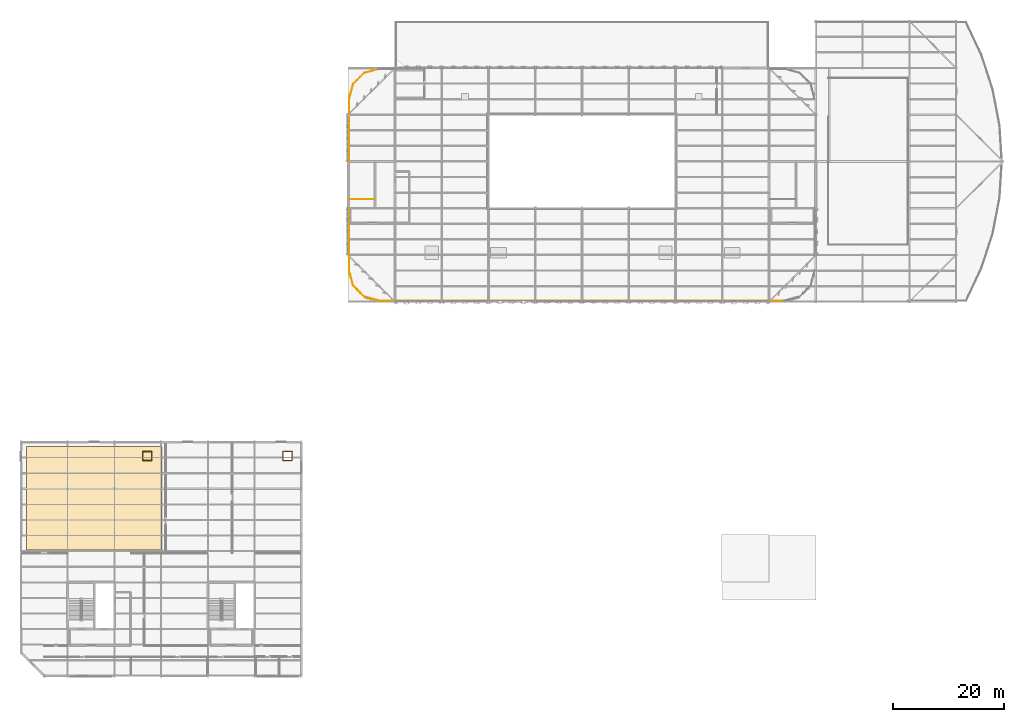
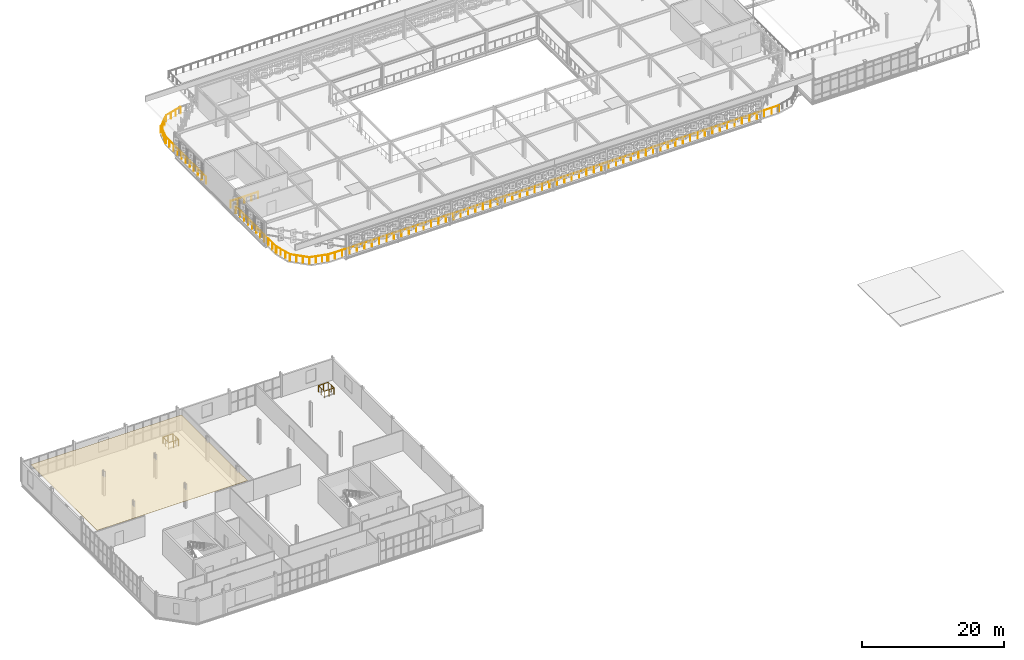
# One storey, part 63 of 65: 8 railings, 1 covering.
"""IFC4 building model written with IfcOpenShell, lengths in metres."""

import ifcopenshell
import ifcopenshell.guid

model = None  # the IFC model being written
_history = None  # IfcOwnerHistory: only IFC2X3 demands one
_inside = {}  # id of a spatial element -> (the spatial element, [elements in it])
_under = {}  # id of a project, library or spatial element -> (it, [spatial elements below it])
_declared = {}  # id of a project -> (the project, [libraries it declares])
_typed = {}  # id of a type object -> (the type object, [elements of that type])
_made_of = {}  # id of a material, layer set ... -> (it, [elements and type objects made of it])


def new_model(schema):
    """Start an empty IFC model of exactly this schema.

    Asked for "IFC4X3", IfcOpenShell would pick the latest addendum, in which some entities
    have other attributes; the version numbers below select the first issue.
    IFC2X3 requires an IfcOwnerHistory on every rooted entity: one is made here for all.
    """
    global model, _history
    if schema == "IFC4X3":
        model = ifcopenshell.file(schema_version=(4, 3, 0, 0))
    else:
        model = ifcopenshell.file(schema=schema)
    _inside.clear()
    _under.clear()
    _declared.clear()
    _typed.clear()
    _made_of.clear()
    _history = None
    if model.schema == "IFC2X3":
        org = make("IfcOrganization", Name="unknown")
        user = make(
            "IfcPersonAndOrganization",
            ThePerson=make("IfcPerson", FamilyName="unknown"),
            TheOrganization=org,
        )
        app = make(
            "IfcApplication",
            ApplicationDeveloper=org,
            Version="unknown",
            ApplicationFullName="unknown",
            ApplicationIdentifier="unknown",
        )
        _history = make(
            "IfcOwnerHistory",
            OwningUser=user,
            OwningApplication=app,
            ChangeAction="ADDED",
            CreationDate=0,
        )
    return model


def make(cls, **values):
    """One entity of the class cls with the attributes given. An attribute that is None is left unset."""
    return model.create_entity(
        cls, **{name: value for name, value in values.items() if value is not None}
    )


def rooted(cls, **values):
    """An entity with a GlobalId (a new one), such as an element, a storey or a relation."""
    return make(cls, GlobalId=ifcopenshell.guid.new(), OwnerHistory=_history, **values)


def si_unit(unit_type, name, prefix=None):
    """IfcSIUnit, for example si_unit("LENGTHUNIT", "METRE", prefix="MILLI")."""
    return make("IfcSIUnit", UnitType=unit_type, Prefix=prefix, Name=name)


def assignment(units):
    """IfcUnitAssignment: the units of a project."""
    return None if units is None else make("IfcUnitAssignment", Units=units)


def point(xyz):
    """IfcCartesianPoint."""
    return None if xyz is None else make("IfcCartesianPoint", Coordinates=xyz)


def direction(xyz):
    """IfcDirection."""
    return None if xyz is None else make("IfcDirection", DirectionRatios=xyz)


def frame(location, z_axis=None, x_axis=None):
    """IfcAxis2Placement3D, a coordinate frame: its origin and axes. An axis left out is left unset."""
    return make(
        "IfcAxis2Placement3D",
        Location=point(location),
        Axis=direction(z_axis),
        RefDirection=direction(x_axis),
    )


def frame_2d(location, x_axis=None):
    """IfcAxis2Placement2D, a coordinate frame in the plane: its origin and x axis."""
    return make(
        "IfcAxis2Placement2D", Location=point(location), RefDirection=direction(x_axis)
    )


def origin():
    """The frame at (0, 0, 0) with its axes left unset."""
    return frame((0.0, 0.0, 0.0))


def origin_2d():
    """The frame at (0, 0) in the plane with its x axis left unset."""
    return frame_2d((0.0, 0.0))


def place(relative_to, where):
    """IfcLocalPlacement: puts the frame where relative to a parent placement (None: the world)."""
    return make(
        "IfcLocalPlacement", PlacementRelTo=relative_to, RelativePlacement=where
    )


def context(
    kind, dimensions, precision=None, world=None, true_north=None, identifier=None
):
    """IfcGeometricRepresentationContext, for example the 3D "Model" context."""
    return make(
        "IfcGeometricRepresentationContext",
        ContextIdentifier=identifier,
        ContextType=kind,
        CoordinateSpaceDimension=dimensions,
        Precision=precision,
        WorldCoordinateSystem=world,
        TrueNorth=true_north,
    )


def subcontext(parent, identifier, kind, view, scale=None):
    """IfcGeometricRepresentationSubContext, for example "Body" below "Model"."""
    return make(
        "IfcGeometricRepresentationSubContext",
        ContextIdentifier=identifier,
        ContextType=kind,
        ParentContext=parent,
        TargetScale=scale,
        TargetView=view,
    )


def project(units=None, contexts=None):
    """IfcProject with its units and contexts."""
    return rooted(
        "IfcProject",
        Name="project",
        RepresentationContexts=contexts,
        UnitsInContext=assignment(units),
    )


def spatial(cls, under=None, at=None, **own):
    """A site, building, storey or space (cls), placed at a placement, below another one or the project."""
    s = rooted(cls, ObjectPlacement=at, **own)
    if under is not None:
        _under.setdefault(under.id(), (under, []))[1].append(s)
    return s


def polyline(points):
    """IfcPolyline through the points."""
    return make("IfcPolyline", Points=[point(p) for p in points])


def profile(cls, at=None, kind="AREA", **sizes):
    """A parametric profile (cls). Its sizes go by their IFC names, for example OverallWidth=200.0."""
    return make(cls, ProfileType=kind, Position=at, **sizes)


def circle(**sizes):
    """IfcCircleProfileDef."""
    return profile("IfcCircleProfileDef", **sizes)


def outline(outer, holes=None, kind="AREA"):
    """IfcArbitraryClosedProfileDef: a profile drawn as a closed curve; with holes, ...WithVoids."""
    if holes is None:
        return make("IfcArbitraryClosedProfileDef", ProfileType=kind, OuterCurve=outer)
    return make(
        "IfcArbitraryProfileDefWithVoids",
        ProfileType=kind,
        OuterCurve=outer,
        InnerCurves=holes,
    )


def extrude(swept, where, along, depth):
    """IfcExtrudedAreaSolid: the profile swept, set in the frame where, extruded along a direction by depth."""
    return make(
        "IfcExtrudedAreaSolid",
        SweptArea=swept,
        Position=where,
        ExtrudedDirection=direction(along),
        Depth=depth,
    )


def shape(context_of_items, identifier, shape_type, items):
    """IfcShapeRepresentation: the items that make up one representation, for example the "Body"."""
    return make(
        "IfcShapeRepresentation",
        ContextOfItems=context_of_items,
        RepresentationIdentifier=identifier,
        RepresentationType=shape_type,
        Items=items,
    )


def material(Name=None, Category=None):
    """IfcMaterial."""
    return make("IfcMaterial", Name=Name, Category=Category)


def layer(
    of_material, thickness, ventilated=None, Name=None, Category=None, Priority=None
):
    """IfcMaterialLayer: one layer of a wall or slab, of a material (None: an air gap)."""
    return make(
        "IfcMaterialLayer",
        Material=of_material,
        LayerThickness=thickness,
        IsVentilated=ventilated,
        Name=Name,
        Category=Category,
        Priority=Priority,
    )


def layer_set(layers, Name=None):
    """IfcMaterialLayerSet."""
    return make("IfcMaterialLayerSet", MaterialLayers=layers, LayerSetName=Name)


def made_of(thing, what):
    """Note that an element or type object is made of a material, layer set ...; save() writes the relation."""
    if what is not None:
        _made_of.setdefault(what.id(), (what, []))[1].append(thing)
    return thing


def type_object(cls, material=None, **own):
    """A type object (cls), such as IfcWallType, which elements share."""
    return made_of(rooted(cls, **own), material)


def element(
    cls,
    number,
    at=None,
    inside=None,
    cuts=None,
    type_object=None,
    material=None,
    context=None,
    identifier="Body",
    shape_type=None,
    held_by="IfcProductDefinitionShape",
    body=None,
    shapes=None,
    **own,
):
    """One element of the class cls, such as IfcWall. Its Tag is "e" and its number.

    at: its placement. inside: the storey or other place that contains it. cuts: it is an
    opening in that element (IfcRelVoidsElement). A single representation is given by context,
    identifier, shape_type and body (its items); several are given by shapes. held_by: the class
    of the entity that holds the representations. save() writes the other relations.
    """
    e = rooted(cls, Tag="e%d" % number, ObjectPlacement=at, **own)
    if body is not None:
        shapes = [shape(context, identifier, shape_type, body)]
    if shapes is not None:
        e.Representation = make(held_by, Representations=shapes)
    if inside is not None:
        _inside.setdefault(inside.id(), (inside, []))[1].append(e)
    if cuts is not None:
        rooted(
            "IfcRelVoidsElement", RelatingBuildingElement=cuts, RelatedOpeningElement=e
        )
    if type_object is not None:
        _typed.setdefault(type_object.id(), (type_object, []))[1].append(e)
    return made_of(e, material)


def aggregate(whole, parts):
    """IfcRelAggregates: a whole, such as a stair, and the parts it consists of."""
    return rooted("IfcRelAggregates", RelatingObject=whole, RelatedObjects=parts)


def save(model, path):
    """Write the relations noted so far, then the file.

    IfcRelAggregates (storeys below a building ...), IfcRelContainedInSpatialStructure (elements
    in a storey), IfcRelDefinesByType, IfcRelAssociatesMaterial and IfcRelDeclares: one each for
    every whole, place, type object, material and project.
    """
    for whole, parts in _under.values():
        aggregate(whole, parts)
    for where, things in _inside.values():
        rooted(
            "IfcRelContainedInSpatialStructure",
            RelatedElements=things,
            RelatingStructure=where,
        )
    for kind, things in _typed.values():
        rooted("IfcRelDefinesByType", RelatedObjects=things, RelatingType=kind)
    for what, things in _made_of.values():
        rooted("IfcRelAssociatesMaterial", RelatedObjects=things, RelatingMaterial=what)
    for by, libraries in _declared.values():
        rooted("IfcRelDeclares", RelatingContext=by, RelatedDefinitions=libraries)
    model.write(path)


model = new_model("IFC4")

# Units and contexts
model_context = context("Model", 3, precision=1e-05, world=origin(), true_north=direction((0.0, 1.0)))
body_context = subcontext(model_context, "Body", "Model", "MODEL_VIEW")
ifc_project = project(units=[si_unit("LENGTHUNIT", "METRE"), si_unit("AREAUNIT", "SQUARE_METRE"), si_unit("VOLUMEUNIT", "CUBIC_METRE"), si_unit("PLANEANGLEUNIT", "RADIAN"), si_unit("MASSUNIT", "GRAM", prefix="KILO")], contexts=[model_context])

# Site, building, storey
site_placement = place(None, origin())
site = spatial("IfcSite", under=ifc_project, at=site_placement, CompositionType="ELEMENT")
building_placement = place(site_placement, origin())
building = spatial("IfcBuilding", under=site, at=building_placement, Name="Qalvenar Corner Mobility Hub", CompositionType="ELEMENT")
storey_placement = place(building_placement, frame((0.0, 0.0, 17.39990234375)))
storey = spatial("IfcBuildingStorey", under=building, at=storey_placement, Name="L04", CompositionType="ELEMENT", Elevation=17.39990234375)

# Covering
ifc_material_1 = material(Name="Perforated Acoustic Mineral Ceiling Board", Category="concrete")
ifc_layer = layer(ifc_material_1, 0.02490234375)
ifc_layer_set = layer_set([ifc_layer], Name="Perforated Acoustic Mineral Ceiling Board")
covering_type = type_object("IfcCoveringType", Name="COV-CEIL-AC", PredefinedType="CEILING", material=ifc_layer_set)
covering_placement = place(storey_placement, frame((0.0, 0.0, 3.150146484375)))
element("IfcCovering", 1, at=covering_placement, inside=storey, type_object=covering_type, Name="Seminar Hall Acoustic Ceiling", PredefinedType="CEILING", context=body_context, shape_type="SweptSolid", body=[
    extrude(outline(polyline([(1.0, 22.60009765625), (25.39990234375, 22.60009765625), (25.39990234375, 41.199951171875), (1.0, 41.199951171875), (1.0, 22.60009765625)])), origin(), (0.0, 0.0, 1.0), 0.02490234375),
])

# Railings
ifc_material_2 = material(Name="Art Nouveau Bronze-Finished Steel Balustrade", Category="steel")
railing_type_1 = type_object("IfcRailingType", Name="RL-GUARD-110", PredefinedType="GUARDRAIL", material=ifc_material_2)
railing_1_placement = place(storey_placement, frame((59.050048828125, 85.60009765625, 0.0)))
element("IfcRailing", 2, at=railing_1_placement, inside=storey, type_object=railing_type_1, Name="Top Stair Landing Guard C3-L04", PredefinedType="GUARDRAIL", context=body_context, shape_type="SweptSolid", body=[
    extrude(circle(Radius=0.02392578125, at=origin_2d()), frame((0.0, 0.0, 1.09619140625), z_axis=(1.0, 0.0, 0.0), x_axis=(0.0, 1.0, 0.0)), (0.0, 0.0, 1.0), 4.449951171875),
    extrude(circle(Radius=0.02099609375, at=origin_2d()), origin(), (0.0, 0.0, 1.0), 1.072021484375),
    extrude(circle(Radius=0.02099609375, at=origin_2d()), frame((1.112548828125, 0.0, 0.0)), (0.0, 0.0, 1.0), 1.072021484375),
    extrude(circle(Radius=0.02099609375, at=origin_2d()), frame((2.22509765625, 0.0, 0.0)), (0.0, 0.0, 1.0), 1.072021484375),
    extrude(circle(Radius=0.02099609375, at=origin_2d()), frame((3.33740234375, 0.0, 0.0)), (0.0, 0.0, 1.0), 1.072021484375),
    extrude(circle(Radius=0.02099609375, at=origin_2d()), frame((4.449951171875, 0.0, 0.0)), (0.0, 0.0, 1.0), 1.072021484375),
])
ifc_material_3 = material(Name="Galvanised Steel Deck Edge Barrier", Category="steel")
railing_type_2 = type_object("IfcRailingType", Name="RL-GUARD-115", PredefinedType="GUARDRAIL", material=ifc_material_3)
railing_2_placement = place(storey_placement, frame((21.89990234375, 38.699951171875, 0.0)))
element("IfcRailing", 3, at=railing_2_placement, inside=storey, type_object=railing_type_2, Name="Riser Opening Guard V3-A-L04", PredefinedType="GUARDRAIL", context=body_context, shape_type="SweptSolid", body=[
    extrude(circle(Radius=0.02392578125, at=origin_2d()), frame((0.0, 0.0, 1.1259765625), z_axis=(1.0, 0.0, 0.0), x_axis=(0.0, 1.0, 0.0)), (0.0, 0.0, 1.0), 1.60009765625),
    extrude(circle(Radius=0.02392578125, at=origin_2d()), frame((1.60009765625, 0.0, 1.1259765625), z_axis=(0.0, 1.0, 0.0), x_axis=(-1.0, 0.0, 0.0)), (0.0, 0.0, 1.0), 1.60009765625),
    extrude(circle(Radius=0.02392578125, at=origin_2d()), frame((1.60009765625, 1.60009765625, 1.1259765625), z_axis=(-1.0, 0.0, 0.0), x_axis=(0.0, -1.0, 0.0)), (0.0, 0.0, 1.0), 1.60009765625),
    extrude(circle(Radius=0.02392578125, at=origin_2d()), frame((0.0, 1.60009765625, 1.1259765625), z_axis=(0.0, -1.0, 0.0), x_axis=(1.0, 0.0, 0.0)), (0.0, 0.0, 1.0), 1.60009765625),
    extrude(circle(Radius=0.02099609375, at=origin_2d()), origin(), (0.0, 0.0, 1.0), 1.101806640625),
    extrude(circle(Radius=0.02099609375, at=origin_2d()), frame((0.800048828125, 0.0, 0.0)), (0.0, 0.0, 1.0), 1.101806640625),
    extrude(circle(Radius=0.02099609375, at=origin_2d()), frame((1.60009765625, 0.0, 0.0)), (0.0, 0.0, 1.0), 1.101806640625),
    extrude(circle(Radius=0.02099609375, at=origin_2d()), frame((1.60009765625, 0.800048828125, 0.0)), (0.0, 0.0, 1.0), 1.101806640625),
    extrude(circle(Radius=0.02099609375, at=origin_2d()), frame((1.60009765625, 1.60009765625, 0.0)), (0.0, 0.0, 1.0), 1.101806640625),
    extrude(circle(Radius=0.02099609375, at=origin_2d()), frame((0.800048828125, 1.60009765625, 0.0)), (0.0, 0.0, 1.0), 1.101806640625),
    extrude(circle(Radius=0.02099609375, at=origin_2d()), frame((0.0, 1.60009765625, 0.0)), (0.0, 0.0, 1.0), 1.101806640625),
    extrude(circle(Radius=0.02099609375, at=origin_2d()), frame((0.0, 0.800048828125, 0.0)), (0.0, 0.0, 1.0), 1.101806640625),
])
railing_3_placement = place(storey_placement, frame((47.10009765625, 38.699951171875, 0.0)))
element("IfcRailing", 4, at=railing_3_placement, inside=storey, type_object=railing_type_2, Name="Riser Opening Guard V3-B-L04", PredefinedType="GUARDRAIL", context=body_context, shape_type="SweptSolid", body=[
    extrude(circle(Radius=0.02392578125, at=origin_2d()), frame((0.0, 0.0, 1.1259765625), z_axis=(1.0, 0.0, 0.0), x_axis=(0.0, 1.0, 0.0)), (0.0, 0.0, 1.0), 1.599853515625),
    extrude(circle(Radius=0.02392578125, at=origin_2d()), frame((1.599853515625, 0.0, 1.1259765625), z_axis=(0.0, 1.0, 0.0), x_axis=(-1.0, 0.0, 0.0)), (0.0, 0.0, 1.0), 1.60009765625),
    extrude(circle(Radius=0.02392578125, at=origin_2d()), frame((1.599853515625, 1.60009765625, 1.1259765625), z_axis=(-1.0, 0.0, 0.0), x_axis=(0.0, -1.0, 0.0)), (0.0, 0.0, 1.0), 1.599853515625),
    extrude(circle(Radius=0.02392578125, at=origin_2d()), frame((0.0, 1.60009765625, 1.1259765625), z_axis=(0.0, -1.0, 0.0), x_axis=(1.0, 0.0, 0.0)), (0.0, 0.0, 1.0), 1.60009765625),
    extrude(circle(Radius=0.02099609375, at=origin_2d()), origin(), (0.0, 0.0, 1.0), 1.101806640625),
    extrude(circle(Radius=0.02099609375, at=origin_2d()), frame((0.7998046875, 0.0, 0.0)), (0.0, 0.0, 1.0), 1.101806640625),
    extrude(circle(Radius=0.02099609375, at=origin_2d()), frame((1.599853515625, 0.0, 0.0)), (0.0, 0.0, 1.0), 1.101806640625),
    extrude(circle(Radius=0.02099609375, at=origin_2d()), frame((1.599853515625, 0.800048828125, 0.0)), (0.0, 0.0, 1.0), 1.101806640625),
    extrude(circle(Radius=0.02099609375, at=origin_2d()), frame((1.599853515625, 1.60009765625, 0.0)), (0.0, 0.0, 1.0), 1.101806640625),
    extrude(circle(Radius=0.02099609375, at=origin_2d()), frame((0.7998046875, 1.60009765625, 0.0)), (0.0, 0.0, 1.0), 1.101806640625),
    extrude(circle(Radius=0.02099609375, at=origin_2d()), frame((0.0, 1.60009765625, 0.0)), (0.0, 0.0, 1.0), 1.101806640625),
    extrude(circle(Radius=0.02099609375, at=origin_2d()), frame((0.0, 0.800048828125, 0.0)), (0.0, 0.0, 1.0), 1.101806640625),
])
railing_4_placement = place(storey_placement, frame((64.199951171875, 67.3798828125, 0.0)))
element("IfcRailing", 5, at=railing_4_placement, inside=storey, type_object=railing_type_2, Name="Parking Deck South Barrier L04", PredefinedType="GUARDRAIL", context=body_context, shape_type="SweptSolid", body=[
    extrude(circle(Radius=0.02392578125, at=origin_2d()), frame((0.0, 0.0, 1.1259765625), z_axis=(1.0, 0.0, 0.0), x_axis=(0.0, 1.0, 0.0)), (0.0, 0.0, 1.0), 73.199951171875),
    extrude(circle(Radius=0.02099609375, at=origin_2d()), origin(), (0.0, 0.0, 1.0), 1.101806640625),
    extrude(circle(Radius=0.02099609375, at=origin_2d()), frame((1.199951171875, 0.0, 0.0)), (0.0, 0.0, 1.0), 1.101806640625),
    extrude(circle(Radius=0.02099609375, at=origin_2d()), frame((2.39990234375, 0.0, 0.0)), (0.0, 0.0, 1.0), 1.101806640625),
    extrude(circle(Radius=0.02099609375, at=origin_2d()), frame((3.60009765625, 0.0, 0.0)), (0.0, 0.0, 1.0), 1.101806640625),
    extrude(circle(Radius=0.02099609375, at=origin_2d()), frame((4.800048828125, 0.0, 0.0)), (0.0, 0.0, 1.0), 1.101806640625),
    extrude(circle(Radius=0.02099609375, at=origin_2d()), frame((6.0, 0.0, 0.0)), (0.0, 0.0, 1.0), 1.101806640625),
    extrude(circle(Radius=0.02099609375, at=origin_2d()), frame((7.199951171875, 0.0, 0.0)), (0.0, 0.0, 1.0), 1.101806640625),
    extrude(circle(Radius=0.02099609375, at=origin_2d()), frame((8.39990234375, 0.0, 0.0)), (0.0, 0.0, 1.0), 1.101806640625),
    extrude(circle(Radius=0.02099609375, at=origin_2d()), frame((9.60009765625, 0.0, 0.0)), (0.0, 0.0, 1.0), 1.101806640625),
    extrude(circle(Radius=0.02099609375, at=origin_2d()), frame((10.800048828125, 0.0, 0.0)), (0.0, 0.0, 1.0), 1.101806640625),
    extrude(circle(Radius=0.02099609375, at=origin_2d()), frame((12.0, 0.0, 0.0)), (0.0, 0.0, 1.0), 1.101806640625),
    extrude(circle(Radius=0.02099609375, at=origin_2d()), frame((13.199951171875, 0.0, 0.0)), (0.0, 0.0, 1.0), 1.101806640625),
    extrude(circle(Radius=0.02099609375, at=origin_2d()), frame((14.39990234375, 0.0, 0.0)), (0.0, 0.0, 1.0), 1.101806640625),
    extrude(circle(Radius=0.02099609375, at=origin_2d()), frame((15.60009765625, 0.0, 0.0)), (0.0, 0.0, 1.0), 1.101806640625),
    extrude(circle(Radius=0.02099609375, at=origin_2d()), frame((16.800048828125, 0.0, 0.0)), (0.0, 0.0, 1.0), 1.101806640625),
    extrude(circle(Radius=0.02099609375, at=origin_2d()), frame((18.0, 0.0, 0.0)), (0.0, 0.0, 1.0), 1.101806640625),
    extrude(circle(Radius=0.02099609375, at=origin_2d()), frame((19.199951171875, 0.0, 0.0)), (0.0, 0.0, 1.0), 1.101806640625),
    extrude(circle(Radius=0.02099609375, at=origin_2d()), frame((20.39990234375, 0.0, 0.0)), (0.0, 0.0, 1.0), 1.101806640625),
    extrude(circle(Radius=0.02099609375, at=origin_2d()), frame((21.60009765625, 0.0, 0.0)), (0.0, 0.0, 1.0), 1.101806640625),
    extrude(circle(Radius=0.02099609375, at=origin_2d()), frame((22.800048828125, 0.0, 0.0)), (0.0, 0.0, 1.0), 1.101806640625),
    extrude(circle(Radius=0.02099609375, at=origin_2d()), frame((24.0, 0.0, 0.0)), (0.0, 0.0, 1.0), 1.101806640625),
    extrude(circle(Radius=0.02099609375, at=origin_2d()), frame((25.199951171875, 0.0, 0.0)), (0.0, 0.0, 1.0), 1.101806640625),
    extrude(circle(Radius=0.02099609375, at=origin_2d()), frame((26.39990234375, 0.0, 0.0)), (0.0, 0.0, 1.0), 1.101806640625),
    extrude(circle(Radius=0.02099609375, at=origin_2d()), frame((27.60009765625, 0.0, 0.0)), (0.0, 0.0, 1.0), 1.101806640625),
    extrude(circle(Radius=0.02099609375, at=origin_2d()), frame((28.800048828125, 0.0, 0.0)), (0.0, 0.0, 1.0), 1.101806640625),
    extrude(circle(Radius=0.02099609375, at=origin_2d()), frame((30.0, 0.0, 0.0)), (0.0, 0.0, 1.0), 1.101806640625),
    extrude(circle(Radius=0.02099609375, at=origin_2d()), frame((31.199951171875, 0.0, 0.0)), (0.0, 0.0, 1.0), 1.101806640625),
    extrude(circle(Radius=0.02099609375, at=origin_2d()), frame((32.39990234375, 0.0, 0.0)), (0.0, 0.0, 1.0), 1.101806640625),
    extrude(circle(Radius=0.02099609375, at=origin_2d()), frame((33.60009765625, 0.0, 0.0)), (0.0, 0.0, 1.0), 1.101806640625),
    extrude(circle(Radius=0.02099609375, at=origin_2d()), frame((34.800048828125, 0.0, 0.0)), (0.0, 0.0, 1.0), 1.101806640625),
    extrude(circle(Radius=0.02099609375, at=origin_2d()), frame((36.0, 0.0, 0.0)), (0.0, 0.0, 1.0), 1.101806640625),
    extrude(circle(Radius=0.02099609375, at=origin_2d()), frame((37.199951171875, 0.0, 0.0)), (0.0, 0.0, 1.0), 1.101806640625),
    extrude(circle(Radius=0.02099609375, at=origin_2d()), frame((38.39990234375, 0.0, 0.0)), (0.0, 0.0, 1.0), 1.101806640625),
    extrude(circle(Radius=0.02099609375, at=origin_2d()), frame((39.599853515625, 0.0, 0.0)), (0.0, 0.0, 1.0), 1.101806640625),
    extrude(circle(Radius=0.02099609375, at=origin_2d()), frame((40.800048828125, 0.0, 0.0)), (0.0, 0.0, 1.0), 1.101806640625),
    extrude(circle(Radius=0.02099609375, at=origin_2d()), frame((42.0, 0.0, 0.0)), (0.0, 0.0, 1.0), 1.101806640625),
    extrude(circle(Radius=0.02099609375, at=origin_2d()), frame((43.199951171875, 0.0, 0.0)), (0.0, 0.0, 1.0), 1.101806640625),
    extrude(circle(Radius=0.02099609375, at=origin_2d()), frame((44.39990234375, 0.0, 0.0)), (0.0, 0.0, 1.0), 1.101806640625),
    extrude(circle(Radius=0.02099609375, at=origin_2d()), frame((45.599853515625, 0.0, 0.0)), (0.0, 0.0, 1.0), 1.101806640625),
    extrude(circle(Radius=0.02099609375, at=origin_2d()), frame((46.800048828125, 0.0, 0.0)), (0.0, 0.0, 1.0), 1.101806640625),
    extrude(circle(Radius=0.02099609375, at=origin_2d()), frame((48.0, 0.0, 0.0)), (0.0, 0.0, 1.0), 1.101806640625),
    extrude(circle(Radius=0.02099609375, at=origin_2d()), frame((49.199951171875, 0.0, 0.0)), (0.0, 0.0, 1.0), 1.101806640625),
    extrude(circle(Radius=0.02099609375, at=origin_2d()), frame((50.39990234375, 0.0, 0.0)), (0.0, 0.0, 1.0), 1.101806640625),
    extrude(circle(Radius=0.02099609375, at=origin_2d()), frame((51.599853515625, 0.0, 0.0)), (0.0, 0.0, 1.0), 1.101806640625),
    extrude(circle(Radius=0.02099609375, at=origin_2d()), frame((52.800048828125, 0.0, 0.0)), (0.0, 0.0, 1.0), 1.101806640625),
    extrude(circle(Radius=0.02099609375, at=origin_2d()), frame((54.0, 0.0, 0.0)), (0.0, 0.0, 1.0), 1.101806640625),
    extrude(circle(Radius=0.02099609375, at=origin_2d()), frame((55.199951171875, 0.0, 0.0)), (0.0, 0.0, 1.0), 1.101806640625),
    extrude(circle(Radius=0.02099609375, at=origin_2d()), frame((56.39990234375, 0.0, 0.0)), (0.0, 0.0, 1.0), 1.101806640625),
    extrude(circle(Radius=0.02099609375, at=origin_2d()), frame((57.599853515625, 0.0, 0.0)), (0.0, 0.0, 1.0), 1.101806640625),
    extrude(circle(Radius=0.02099609375, at=origin_2d()), frame((58.800048828125, 0.0, 0.0)), (0.0, 0.0, 1.0), 1.101806640625),
    extrude(circle(Radius=0.02099609375, at=origin_2d()), frame((60.0, 0.0, 0.0)), (0.0, 0.0, 1.0), 1.101806640625),
    extrude(circle(Radius=0.02099609375, at=origin_2d()), frame((61.199951171875, 0.0, 0.0)), (0.0, 0.0, 1.0), 1.101806640625),
    extrude(circle(Radius=0.02099609375, at=origin_2d()), frame((62.39990234375, 0.0, 0.0)), (0.0, 0.0, 1.0), 1.101806640625),
    extrude(circle(Radius=0.02099609375, at=origin_2d()), frame((63.599853515625, 0.0, 0.0)), (0.0, 0.0, 1.0), 1.101806640625),
    extrude(circle(Radius=0.02099609375, at=origin_2d()), frame((64.800048828125, 0.0, 0.0)), (0.0, 0.0, 1.0), 1.101806640625),
    extrude(circle(Radius=0.02099609375, at=origin_2d()), frame((66.0, 0.0, 0.0)), (0.0, 0.0, 1.0), 1.101806640625),
    extrude(circle(Radius=0.02099609375, at=origin_2d()), frame((67.199951171875, 0.0, 0.0)), (0.0, 0.0, 1.0), 1.101806640625),
    extrude(circle(Radius=0.02099609375, at=origin_2d()), frame((68.39990234375, 0.0, 0.0)), (0.0, 0.0, 1.0), 1.101806640625),
    extrude(circle(Radius=0.02099609375, at=origin_2d()), frame((69.599853515625, 0.0, 0.0)), (0.0, 0.0, 1.0), 1.101806640625),
    extrude(circle(Radius=0.02099609375, at=origin_2d()), frame((70.800048828125, 0.0, 0.0)), (0.0, 0.0, 1.0), 1.101806640625),
    extrude(circle(Radius=0.02099609375, at=origin_2d()), frame((72.0, 0.0, 0.0)), (0.0, 0.0, 1.0), 1.101806640625),
    extrude(circle(Radius=0.02099609375, at=origin_2d()), frame((73.199951171875, 0.0, 0.0)), (0.0, 0.0, 1.0), 1.101806640625),
])
railing_5_placement = place(storey_placement, frame((58.97998046875, 84.0, 0.0)))
element("IfcRailing", 6, at=railing_5_placement, inside=storey, type_object=railing_type_2, Name="Parking Deck West-South Barrier L04", PredefinedType="GUARDRAIL", context=body_context, shape_type="SweptSolid", body=[
    extrude(circle(Radius=0.02392578125, at=origin_2d()), frame((0.0, 0.0, 1.1259765625), z_axis=(0.0, -1.0, 0.0), x_axis=(1.0, 0.0, 0.0)), (0.0, 0.0, 1.0), 11.39990234375),
    extrude(circle(Radius=0.02099609375, at=origin_2d()), origin(), (0.0, 0.0, 1.0), 1.101806640625),
    extrude(circle(Radius=0.02099609375, at=origin_2d()), frame((0.0, -1.139892578125, 0.0)), (0.0, 0.0, 1.0), 1.101806640625),
    extrude(circle(Radius=0.02099609375, at=origin_2d()), frame((0.0, -2.280029296875, 0.0)), (0.0, 0.0, 1.0), 1.101806640625),
    extrude(circle(Radius=0.02099609375, at=origin_2d()), frame((0.0, -3.419921875, 0.0)), (0.0, 0.0, 1.0), 1.101806640625),
    extrude(circle(Radius=0.02099609375, at=origin_2d()), frame((0.0, -4.56005859375, 0.0)), (0.0, 0.0, 1.0), 1.101806640625),
    extrude(circle(Radius=0.02099609375, at=origin_2d()), frame((0.0, -5.699951171875, 0.0)), (0.0, 0.0, 1.0), 1.101806640625),
    extrude(circle(Radius=0.02099609375, at=origin_2d()), frame((0.0, -6.83984375, 0.0)), (0.0, 0.0, 1.0), 1.101806640625),
    extrude(circle(Radius=0.02099609375, at=origin_2d()), frame((0.0, -7.97998046875, 0.0)), (0.0, 0.0, 1.0), 1.101806640625),
    extrude(circle(Radius=0.02099609375, at=origin_2d()), frame((0.0, -9.119873046875, 0.0)), (0.0, 0.0, 1.0), 1.101806640625),
    extrude(circle(Radius=0.02099609375, at=origin_2d()), frame((0.0, -10.260009765625, 0.0)), (0.0, 0.0, 1.0), 1.101806640625),
    extrude(circle(Radius=0.02099609375, at=origin_2d()), frame((0.0, -11.39990234375, 0.0)), (0.0, 0.0, 1.0), 1.101806640625),
])
railing_6_placement = place(storey_placement, frame((58.97998046875, 103.800048828125, 0.0)))
element("IfcRailing", 7, at=railing_6_placement, inside=storey, type_object=railing_type_2, Name="Parking Deck West-North Barrier L04", PredefinedType="GUARDRAIL", context=body_context, shape_type="SweptSolid", body=[
    extrude(circle(Radius=0.02392578125, at=origin_2d()), frame((0.0, 0.0, 1.1259765625), z_axis=(0.0, -1.0, 0.0), x_axis=(1.0, 0.0, 0.0)), (0.0, 0.0, 1.0), 11.400146484375),
    extrude(circle(Radius=0.02099609375, at=origin_2d()), origin(), (0.0, 0.0, 1.0), 1.101806640625),
    extrude(circle(Radius=0.02099609375, at=origin_2d()), frame((0.0, -1.14013671875, 0.0)), (0.0, 0.0, 1.0), 1.101806640625),
    extrude(circle(Radius=0.02099609375, at=origin_2d()), frame((0.0, -2.280029296875, 0.0)), (0.0, 0.0, 1.0), 1.101806640625),
    extrude(circle(Radius=0.02099609375, at=origin_2d()), frame((0.0, -3.419921875, 0.0)), (0.0, 0.0, 1.0), 1.101806640625),
    extrude(circle(Radius=0.02099609375, at=origin_2d()), frame((0.0, -4.56005859375, 0.0)), (0.0, 0.0, 1.0), 1.101806640625),
    extrude(circle(Radius=0.02099609375, at=origin_2d()), frame((0.0, -5.7001953125, 0.0)), (0.0, 0.0, 1.0), 1.101806640625),
    extrude(circle(Radius=0.02099609375, at=origin_2d()), frame((0.0, -6.840087890625, 0.0)), (0.0, 0.0, 1.0), 1.101806640625),
    extrude(circle(Radius=0.02099609375, at=origin_2d()), frame((0.0, -7.97998046875, 0.0)), (0.0, 0.0, 1.0), 1.101806640625),
    extrude(circle(Radius=0.02099609375, at=origin_2d()), frame((0.0, -9.1201171875, 0.0)), (0.0, 0.0, 1.0), 1.101806640625),
    extrude(circle(Radius=0.02099609375, at=origin_2d()), frame((0.0, -10.26025390625, 0.0)), (0.0, 0.0, 1.0), 1.101806640625),
    extrude(circle(Radius=0.02099609375, at=origin_2d()), frame((0.0, -11.400146484375, 0.0)), (0.0, 0.0, 1.0), 1.101806640625),
])
railing_7_placement = place(storey_placement, frame((58.97998046875, 72.800048828125, 0.0)))
element("IfcRailing", 8, at=railing_7_placement, inside=storey, type_object=railing_type_2, Name="Rounded Corner Barrier L04-SW", PredefinedType="GUARDRAIL", context=body_context, shape_type="SweptSolid", body=[
    extrude(circle(Radius=0.02392578125, at=origin_2d()), frame((0.0, 0.0, 1.1259765625), z_axis=(0.258799880931, -0.965930961109, 0.0), x_axis=(0.965930961109, 0.258799880931, 0.0)), (0.0, 0.0, 1.0), 2.8056640625),
    extrude(circle(Radius=0.02392578125, at=origin_2d()), frame((0.72607421875, -2.7099609375, 1.1259765625), z_axis=(0.707106781187, -0.707106781187, 0.0), x_axis=(0.707106781187, 0.707106781187, 0.0)), (0.0, 0.0, 1.0), 2.8056640625),
    extrude(circle(Radius=0.02392578125, at=origin_2d()), frame((2.7099609375, -4.69384765625, 1.1259765625), z_axis=(0.965909204481, -0.25888107057, 0.0), x_axis=(0.25888107057, 0.965909204481, 0.0)), (0.0, 0.0, 1.0), 2.8056640625),
    extrude(circle(Radius=0.02099609375, at=origin_2d()), origin(), (0.0, 0.0, 1.0), 1.101806640625),
    extrude(circle(Radius=0.02099609375, at=origin_2d()), frame((0.241943359375, -0.9033203125, 0.0)), (0.0, 0.0, 1.0), 1.101806640625),
    extrude(circle(Radius=0.02099609375, at=origin_2d()), frame((0.484130859375, -1.806640625, 0.0)), (0.0, 0.0, 1.0), 1.101806640625),
    extrude(circle(Radius=0.02099609375, at=origin_2d()), frame((0.72607421875, -2.7099609375, 0.0)), (0.0, 0.0, 1.0), 1.101806640625),
    extrude(circle(Radius=0.02099609375, at=origin_2d()), frame((1.387451171875, -3.371337890625, 0.0)), (0.0, 0.0, 1.0), 1.101806640625),
    extrude(circle(Radius=0.02099609375, at=origin_2d()), frame((2.048583984375, -4.032470703125, 0.0)), (0.0, 0.0, 1.0), 1.101806640625),
    extrude(circle(Radius=0.02099609375, at=origin_2d()), frame((2.7099609375, -4.69384765625, 0.0)), (0.0, 0.0, 1.0), 1.101806640625),
    extrude(circle(Radius=0.02099609375, at=origin_2d()), frame((3.61328125, -4.93603515625, 0.0)), (0.0, 0.0, 1.0), 1.101806640625),
    extrude(circle(Radius=0.02099609375, at=origin_2d()), frame((4.5166015625, -5.177978515625, 0.0)), (0.0, 0.0, 1.0), 1.101806640625),
    extrude(circle(Radius=0.02099609375, at=origin_2d()), frame((5.419921875, -5.420166015625, 0.0)), (0.0, 0.0, 1.0), 1.101806640625),
])
railing_8_placement = place(storey_placement, frame((64.39990234375, 109.02001953125, 0.0)))
element("IfcRailing", 9, at=railing_8_placement, inside=storey, type_object=railing_type_2, Name="Rounded Corner Barrier L04-NW", PredefinedType="GUARDRAIL", context=body_context, shape_type="SweptSolid", body=[
    extrude(circle(Radius=0.02392578125, at=origin_2d()), frame((0.0, 0.0, 1.1259765625), z_axis=(-0.965930961109, -0.258799880931, 0.0), x_axis=(0.258799880931, -0.965930961109, 0.0)), (0.0, 0.0, 1.0), 2.8056640625),
    extrude(circle(Radius=0.02392578125, at=origin_2d()), frame((-2.7099609375, -0.72607421875, 1.1259765625), z_axis=(-0.707106781187, -0.707106781187, 0.0), x_axis=(0.707106781187, -0.707106781187, 0.0)), (0.0, 0.0, 1.0), 2.8056640625),
    extrude(circle(Radius=0.02392578125, at=origin_2d()), frame((-4.69384765625, -2.7099609375, 1.1259765625), z_axis=(-0.258799880931, -0.965930961109, 0.0), x_axis=(0.965930961109, -0.258799880931, 0.0)), (0.0, 0.0, 1.0), 2.8056640625),
    extrude(circle(Radius=0.02099609375, at=origin_2d()), origin(), (0.0, 0.0, 1.0), 1.101806640625),
    extrude(circle(Radius=0.02099609375, at=origin_2d()), frame((-0.9033203125, -0.241943359375, 0.0)), (0.0, 0.0, 1.0), 1.101806640625),
    extrude(circle(Radius=0.02099609375, at=origin_2d()), frame((-1.806640625, -0.484130859375, 0.0)), (0.0, 0.0, 1.0), 1.101806640625),
    extrude(circle(Radius=0.02099609375, at=origin_2d()), frame((-2.7099609375, -0.72607421875, 0.0)), (0.0, 0.0, 1.0), 1.101806640625),
    extrude(circle(Radius=0.02099609375, at=origin_2d()), frame((-3.371337890625, -1.387451171875, 0.0)), (0.0, 0.0, 1.0), 1.101806640625),
    extrude(circle(Radius=0.02099609375, at=origin_2d()), frame((-4.032470703125, -2.048583984375, 0.0)), (0.0, 0.0, 1.0), 1.101806640625),
    extrude(circle(Radius=0.02099609375, at=origin_2d()), frame((-4.69384765625, -2.7099609375, 0.0)), (0.0, 0.0, 1.0), 1.101806640625),
    extrude(circle(Radius=0.02099609375, at=origin_2d()), frame((-4.935791015625, -3.61328125, 0.0)), (0.0, 0.0, 1.0), 1.101806640625),
    extrude(circle(Radius=0.02099609375, at=origin_2d()), frame((-5.177978515625, -4.5166015625, 0.0)), (0.0, 0.0, 1.0), 1.101806640625),
    extrude(circle(Radius=0.02099609375, at=origin_2d()), frame((-5.419921875, -5.419921875, 0.0)), (0.0, 0.0, 1.0), 1.101806640625),
])

save(model, "model.ifc")
